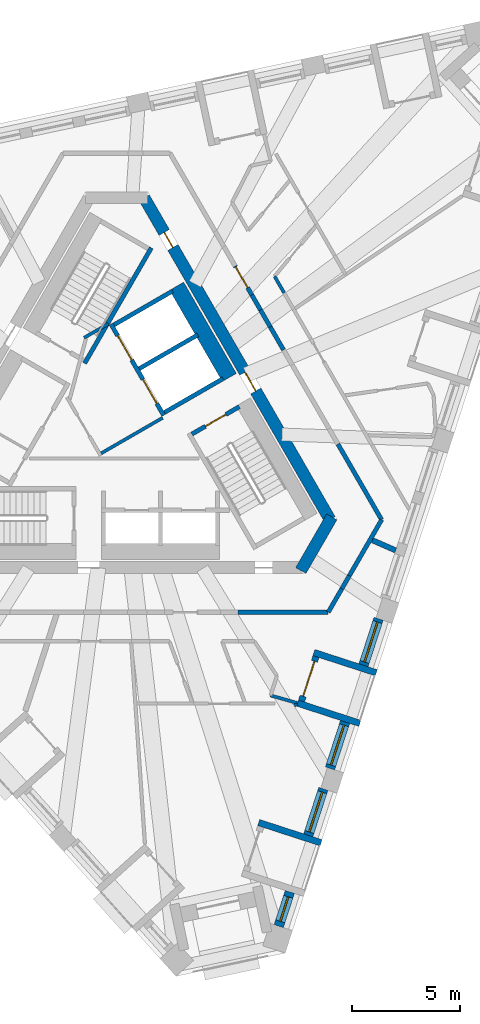
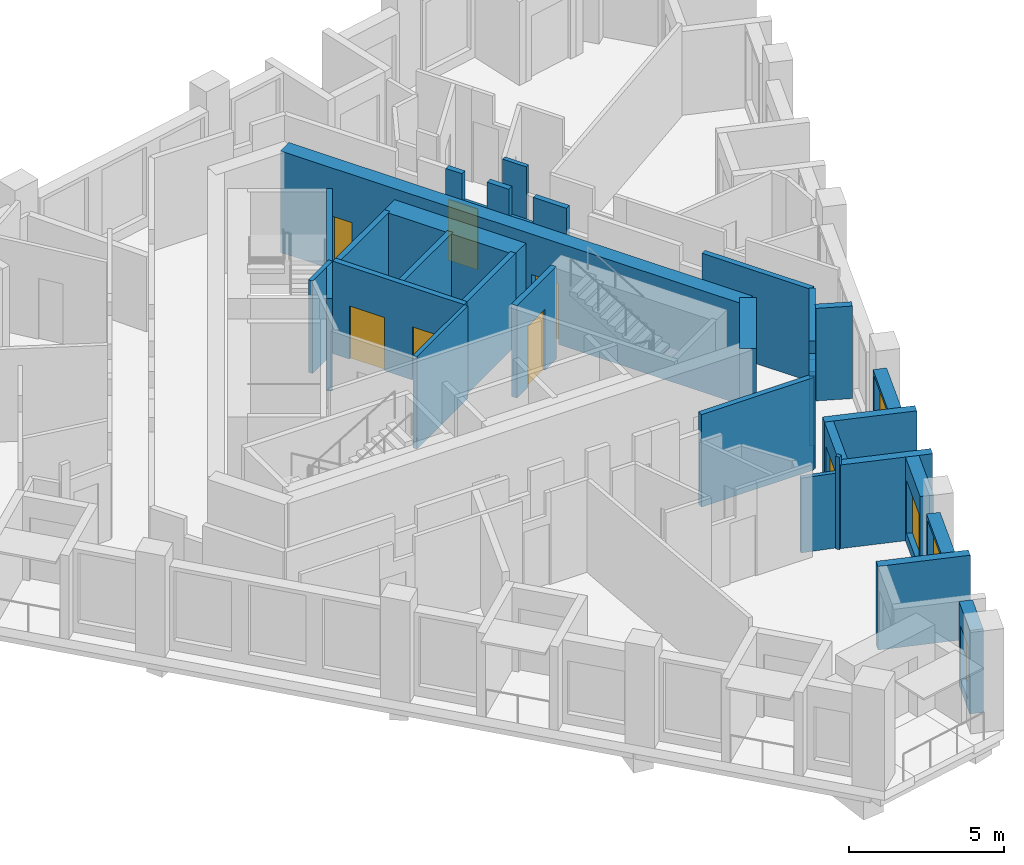
# One storey, part 5 of 12: 32 walls, 7 doors, 4 windows, 11 openings.
"""IFC4 building model written with IfcOpenShell, lengths in metres."""

from ifc_helpers import new_model, si_unit, direction, frame, frame_2d, origin, place, context, subcontext, project, spatial, polyline, rectangle, outline, extrude, material, layer, layer_set, type_object, element, fill, save


model = new_model("IFC4")

# Units and contexts
model_context = context("Model", 3, precision=1e-05, world=origin(), true_north=direction((0.0, 1.0)))
body_context = subcontext(model_context, "Body", "Model", "MODEL_VIEW")
ifc_project = project(units=[si_unit("LENGTHUNIT", "METRE"), si_unit("AREAUNIT", "SQUARE_METRE"), si_unit("VOLUMEUNIT", "CUBIC_METRE"), si_unit("PLANEANGLEUNIT", "RADIAN"), si_unit("MASSUNIT", "GRAM", prefix="KILO")], contexts=[model_context])

# Site, building, storey
site_placement = place(None, origin())
site = spatial("IfcSite", under=ifc_project, at=site_placement, CompositionType="ELEMENT")
building_placement = place(site_placement, origin())
building = spatial("IfcBuilding", under=site, at=building_placement, Name="Tramontana Tower", CompositionType="ELEMENT")
storey_placement = place(building_placement, frame((0.0, 0.0, 340.39990234375)))
storey = spatial("IfcBuildingStorey", under=building, at=storey_placement, Name="L78", CompositionType="ELEMENT", Elevation=340.39990234375)

# Wall
ifc_material_1 = material(Name="Concrete 70 MPa", Category="concrete")
ifc_layer_1 = layer(ifc_material_1, 0.550048828125)
ifc_layer_set_1 = layer_set([ifc_layer_1], Name="Core wall 550 70 MPa")
wall_type_1 = type_object("IfcWallType", Name="Core wall 550 70 MPa", PredefinedType="SHEAR", material=ifc_layer_set_1)
wall_1_placement = place(storey_placement, frame((8.56640625, -6.612548828125, 0.0), z_axis=(0.0, 0.0, 1.0), x_axis=(0.499995765644, 0.866027848477, 0.0)))
element("IfcWall", 1, at=wall_1_placement, inside=storey, type_object=wall_type_1, Name="Core wall C4 L78", PredefinedType="SHEAR", context=body_context, shape_type="SweptSolid", body=[
    extrude(rectangle(XDim=2.88671875, YDim=0.550048828125, at=frame_2d((1.443359375, 0.0))), origin(), (0.0, 0.0, 1.0), 4.0),
])

# Wall, openings, doors
wall_2_placement = place(storey_placement, frame((9.930419921875, -4.25, 0.0), z_axis=(0.0, 0.0, 1.0), x_axis=(-0.499994590896, 0.86602852671, 0.0)))
wall_2 = element("IfcWall", 2, at=wall_2_placement, inside=storey, type_object=wall_type_1, Name="Core wall C5 L78", PredefinedType="SHEAR", context=body_context, shape_type="SweptSolid", body=[
    extrude(rectangle(XDim=17.291748046875, YDim=0.550048828125, at=frame_2d((8.64599609375, 0.0))), origin(), (0.0, 0.0, 1.0), 4.0),
])
opening_1_placement = place(wall_2_placement, frame((6.9208984375, 0.0, 0.0)))
opening_1 = element("IfcOpeningElement", 3, at=opening_1_placement, cuts=wall_2, Name="Opening RG3", PredefinedType="OPENING", context=body_context, shape_type="SweptSolid", body=[
    extrude(rectangle(XDim=1.0, YDim=2.39990234375, at=frame_2d((0.5, 1.199951171875))), frame((0.0, 0.284912109375, 0.0), z_axis=(0.0, -1.0, 0.0), x_axis=(1.0, 0.0, 0.0)), (0.0, 0.0, 1.0), 0.570068359375),
])
opening_2_placement = place(wall_2_placement, frame((14.625732421875, 0.0, 0.0)))
opening_2 = element("IfcOpeningElement", 4, at=opening_2_placement, cuts=wall_2, Name="Opening PD3", PredefinedType="OPENING", context=body_context, shape_type="SweptSolid", body=[
    extrude(rectangle(XDim=0.800048828125, YDim=2.10009765625, at=frame_2d((0.39990234375, 1.050048828125))), frame((0.0, 0.284912109375, 0.0), z_axis=(0.0, -1.0, 0.0), x_axis=(1.0, 0.0, 0.0)), (0.0, 0.0, 1.0), 0.570068359375),
])
ifc_material_2 = material(Name="Painted steel", Category="steel")
door_type_1 = type_object("IfcDoorType", Name="CUPBOARD DOOR 800", OperationType="SINGLE_SWING_LEFT", PredefinedType="DOOR", material=ifc_material_2)
door_1_placement = place(opening_2_placement, origin())
door_1 = element("IfcDoor", 5, at=door_1_placement, inside=storey, type_object=door_type_1, Name="Door PD3", OperationType="SINGLE_SWING_RIGHT", OverallHeight=2.10009765625, OverallWidth=0.800048828125, PredefinedType="DOOR", context=body_context, shape_type="SweptSolid", body=[
    extrude(rectangle(XDim=0.800048828125, YDim=2.10009765625, at=frame_2d((0.39990234375, 1.050048828125))), frame((0.0, 0.02490234375, 0.0), z_axis=(0.0, -1.0, 0.0), x_axis=(1.0, 0.0, 0.0)), (0.0, 0.0, 1.0), 0.050048828125),
])
fill(opening_2, door_1)
ifc_material_3 = material(Name="Painted steel", Category="steel")
door_type_2 = type_object("IfcDoorType", Name="RING DOOR 1000", OperationType="SINGLE_SWING_LEFT", PredefinedType="DOOR", material=ifc_material_3)
door_2_placement = place(opening_1_placement, origin())
door_2 = element("IfcDoor", 6, at=door_2_placement, inside=storey, type_object=door_type_2, Name="Door RG3", OperationType="SINGLE_SWING_RIGHT", OverallHeight=2.39990234375, OverallWidth=1.0, PredefinedType="DOOR", context=body_context, shape_type="SweptSolid", body=[
    extrude(rectangle(XDim=1.0, YDim=2.39990234375, at=frame_2d((0.5, 1.199951171875))), frame((0.0, 0.02490234375, 0.0), z_axis=(0.0, -1.0, 0.0), x_axis=(1.0, 0.0, 0.0)), (0.0, 0.0, 1.0), 0.050048828125),
])
fill(opening_1, door_2)

# Walls
ifc_material_4 = material(Name="Blockwork", Category="masonry")
ifc_layer_2 = layer(ifc_material_4, 0.199951171875)
ifc_layer_set_2 = layer_set([ifc_layer_2], Name="ENTRY WALL 200")
wall_type_2 = type_object("IfcWallType", Name="ENTRY WALL 200", PredefinedType="SOLIDWALL", material=ifc_layer_set_2)
wall_3_placement = place(storey_placement, frame((12.326416015625, -4.25, 0.0), z_axis=(0.0, 0.0, 1.0), x_axis=(-0.500003959331, -0.866023117852, 0.0)))
element("IfcWall", 7, at=wall_3_placement, inside=storey, type_object=wall_type_2, Name="Wall v81-ew0-0", PredefinedType="SOLIDWALL", context=body_context, shape_type="SweptSolid", body=[
    extrude(rectangle(XDim=3.0029296875, YDim=0.199951171875, at=frame_2d((1.50146484375, 0.0))), origin(), (0.0, 0.0, 1.0), 3.650146484375),
])
wall_4_placement = place(storey_placement, frame((10.824951171875, -6.8505859375, 0.0), z_axis=(0.0, 0.0, 1.0), x_axis=(-0.500144223137, -0.865942120504, 0.0)))
element("IfcWall", 8, at=wall_4_placement, inside=storey, type_object=wall_type_2, Name="Wall v81-ew0-1", PredefinedType="SOLIDWALL", context=body_context, shape_type="SweptSolid", body=[
    extrude(rectangle(XDim=0.701416015625, YDim=0.199951171875, at=frame_2d((0.3505859375, 0.0))), origin(), (0.0, 0.0, 1.0), 2.9501953125),
])
wall_5_placement = place(storey_placement, frame((10.47412109375, -7.4580078125, 0.0), z_axis=(0.0, 0.0, 1.0), x_axis=(-0.499929168788, -0.866066294342, 0.0)))
element("IfcWall", 9, at=wall_5_placement, inside=storey, type_object=wall_type_2, Name="Wall v81-ew0-2", PredefinedType="SOLIDWALL", context=body_context, shape_type="SweptSolid", body=[
    extrude(rectangle(XDim=1.260986328125, YDim=0.199951171875, at=frame_2d((0.63037109375, 0.0))), origin(), (0.0, 0.0, 1.0), 3.650146484375),
])
wall_6_placement = place(storey_placement, frame((9.84375, -8.550048828125, 0.0), z_axis=(0.0, 0.0, 1.0), x_axis=(-1.0, 0.0, 0.0)))
element("IfcWall", 10, at=wall_6_placement, inside=storey, type_object=wall_type_2, Name="Wall v81-ew1-0", PredefinedType="SOLIDWALL", context=body_context, shape_type="SweptSolid", body=[
    extrude(rectangle(XDim=4.1943359375, YDim=0.199951171875, at=frame_2d((2.09716796875, 0.0))), origin(), (0.0, 0.0, 1.0), 3.650146484375),
])

# Wall, opening, door
wall_7_placement = place(storey_placement, frame((5.515380859375, 7.547119140625, 0.0), z_axis=(0.0, 0.0, 1.0), x_axis=(0.499986163319, -0.866033392248, 0.0)))
wall_7 = element("IfcWall", 11, at=wall_7_placement, inside=storey, type_object=wall_type_2, Name="Wall v81-ew5-3", PredefinedType="SOLIDWALL", context=body_context, shape_type="SweptSolid", body=[
    extrude(outline(polyline([(0.0, 0.0), (1.54931640625, 0.0), (1.549072265625, 2.550048828125), (0.605224609375, 2.550048828125), (0.605224609375, 3.650146484375), (0.0, 3.650146484375), (0.0, 0.0)])), frame((0.0, 0.10009765625, 0.0), z_axis=(0.0, -1.0, 0.0), x_axis=(1.0, 0.0, 0.0)), (0.0, 0.0, 1.0), 0.199951171875),
])
opening_3_placement = place(wall_7_placement, frame((0.050048828125, 0.0, 0.0)))
opening_3 = element("IfcOpeningElement", 12, at=opening_3_placement, cuts=wall_7, Name="Opening B8B-18", PredefinedType="OPENING", context=body_context, shape_type="SweptSolid", body=[
    extrude(rectangle(XDim=1.10009765625, YDim=2.39990234375, at=frame_2d((0.550048828125, 1.199951171875))), frame((0.0, 0.10986328125, 0.0), z_axis=(0.0, -1.0, 0.0), x_axis=(1.0, 0.0, 0.0)), (0.0, 0.0, 1.0), 0.219970703125),
])
ifc_material_5 = material(Name="Painted timber", Category="wood")
door_type_3 = type_object("IfcDoorType", Name="DOOR ENTRY 1100", OperationType="SINGLE_SWING_LEFT", PredefinedType="DOOR", material=ifc_material_5)
door_3_placement = place(opening_3_placement, origin())
door_3 = element("IfcDoor", 13, at=door_3_placement, inside=storey, type_object=door_type_3, Name="Door B8B-18", OperationType="SINGLE_SWING_RIGHT", OverallHeight=2.39990234375, OverallWidth=1.10009765625, PredefinedType="DOOR", context=body_context, shape_type="SweptSolid", body=[
    extrude(rectangle(XDim=1.10009765625, YDim=2.39990234375, at=frame_2d((0.550048828125, 1.199951171875))), frame((0.0, 0.02490234375, 0.0), z_axis=(0.0, -1.0, 0.0), x_axis=(1.0, 0.0, 0.0)), (0.0, 0.0, 1.0), 0.050048828125),
])
fill(opening_3, door_3)

# Walls
wall_8_placement = place(storey_placement, frame((6.2900390625, 6.205322265625, 0.0), z_axis=(0.0, 0.0, 1.0), x_axis=(0.500045602705, -0.86599907345, 0.0)))
element("IfcWall", 14, at=wall_8_placement, inside=storey, type_object=wall_type_2, Name="Wall v81-ew5-4", PredefinedType="SOLIDWALL", context=body_context, shape_type="SweptSolid", body=[
    extrude(rectangle(XDim=0.806640625, YDim=0.199951171875, at=frame_2d((0.4033203125, 0.0))), origin(), (0.0, 0.0, 1.0), 3.650146484375),
])
wall_9_placement = place(storey_placement, frame((6.693359375, 5.5068359375, 0.0), z_axis=(0.0, 0.0, 1.0), x_axis=(0.499994660107, -0.866028486751, 0.0)))
element("IfcWall", 15, at=wall_9_placement, inside=storey, type_object=wall_type_2, Name="Wall v81-ew5-5", PredefinedType="SOLIDWALL", context=body_context, shape_type="SweptSolid", body=[
    extrude(rectangle(XDim=0.90576171875, YDim=0.199951171875, at=frame_2d((0.452880859375, 0.0))), origin(), (0.0, 0.0, 1.0), 2.550048828125),
])
wall_10_placement = place(storey_placement, frame((7.146240234375, 4.722412109375, 0.0), z_axis=(0.0, 0.0, 1.0), x_axis=(0.499955681623, -0.866050989499, 0.0)))
element("IfcWall", 16, at=wall_10_placement, inside=storey, type_object=wall_type_2, Name="Wall v81-ew5-6", PredefinedType="SOLIDWALL", context=body_context, shape_type="SweptSolid", body=[
    extrude(rectangle(XDim=1.23828125, YDim=0.199951171875, at=frame_2d((0.619140625, 0.0))), origin(), (0.0, 0.0, 1.0), 3.650146484375),
])
wall_11_placement = place(storey_placement, frame((10.29345703125, -0.72900390625, 0.0), z_axis=(0.0, 0.0, 1.0), x_axis=(0.50002046505, -0.86601358796, 0.0)))
element("IfcWall", 17, at=wall_11_placement, inside=storey, type_object=wall_type_2, Name="Wall v81-ew5-10", PredefinedType="SOLIDWALL", context=body_context, shape_type="SweptSolid", body=[
    extrude(rectangle(XDim=4.065673828125, YDim=0.199951171875, at=frame_2d((2.03271484375, 0.0))), origin(), (0.0, 0.0, 1.0), 3.650146484375),
])

# Wall, opening, window
ifc_material_6 = material(Name="Precast concrete 60 MPa", Category="concrete")
ifc_layer_3 = layer(ifc_material_6, 0.449951171875)
ifc_layer_set_3 = layer_set([ifc_layer_3], Name="Precast concrete 60 MPa, 450 mm")
wall_type_3 = type_object("IfcWallType", Name="EW1 Stone-faced precast wall 450", PredefinedType="SOLIDWALL", material=ifc_layer_set_3)
wall_12_placement = place(storey_placement, frame((7.541015625, -23.14794921875, 0.0), z_axis=(0.0, 0.0, 1.0), x_axis=(0.308944042168, 0.951080216811, 0.0)))
wall_12 = element("IfcWall", 18, at=wall_12_placement, inside=storey, type_object=wall_type_3, Name="External wall L78 face 1 bay 1", PredefinedType="SOLIDWALL", context=body_context, shape_type="SweptSolid", body=[
    extrude(rectangle(XDim=1.67138671875, YDim=0.449951171875, at=frame_2d((0.835693359375, 0.0))), origin(), (0.0, 0.0, 1.0), 3.300048828125),
])
opening_4_placement = place(wall_12_placement, frame((0.235595703125, 0.0, 0.39990234375)))
opening_4 = element("IfcOpeningElement", 19, at=opening_4_placement, cuts=wall_12, Name="Opening N3L", PredefinedType="OPENING", context=body_context, shape_type="SweptSolid", body=[
    extrude(rectangle(XDim=1.199951171875, YDim=2.10009765625, at=frame_2d((0.60009765625, 1.050048828125))), frame((0.0, 0.23486328125, 0.0), z_axis=(0.0, -1.0, 0.0), x_axis=(1.0, 0.0, 0.0)), (0.0, 0.0, 1.0), 0.469970703125),
])
ifc_material_7 = material(Name="Aluminum frame, double glazing unit", Category="aluminium")
window_type_1 = type_object("IfcWindowType", Name="N3L Window 1.2 x 2.1", PartitioningType="SINGLE_PANEL", PredefinedType="WINDOW", material=ifc_material_7)
window_1_placement = place(opening_4_placement, origin())
window_1 = element("IfcWindow", 20, at=window_1_placement, inside=storey, type_object=window_type_1, Name="Window N3L L78 face 1 module 1", OverallHeight=2.10009765625, OverallWidth=1.199951171875, PartitioningType="SINGLE_PANEL", PredefinedType="WINDOW", context=body_context, shape_type="SweptSolid", body=[
    extrude(rectangle(XDim=1.199951171875, YDim=2.10009765625, at=frame_2d((0.60009765625, 1.050048828125))), frame((0.0, 0.030029296875, 0.0), z_axis=(0.0, -1.0, 0.0), x_axis=(1.0, 0.0, 0.0)), (0.0, 0.0, 1.0), 0.06005859375),
])
fill(opening_4, window_1)

wall_13_placement = place(storey_placement, frame((8.913818359375, -18.922607421875, 0.0), z_axis=(0.0, 0.0, 1.0), x_axis=(0.309059334219, 0.951042758204, 0.0)))
wall_13 = element("IfcWall", 21, at=wall_13_placement, inside=storey, type_object=wall_type_3, Name="External wall L78 face 1 bay 1", PredefinedType="SOLIDWALL", context=body_context, shape_type="SweptSolid", body=[
    extrude(rectangle(XDim=2.27099609375, YDim=0.449951171875, at=frame_2d((1.135498046875, 0.0))), origin(), (0.0, 0.0, 1.0), 3.300048828125),
])
opening_5_placement = place(wall_13_placement, frame((0.16064453125, 0.0, 0.39990234375)))
opening_5 = element("IfcOpeningElement", 22, at=opening_5_placement, cuts=wall_13, Name="Opening M3", PredefinedType="OPENING", context=body_context, shape_type="SweptSolid", body=[
    extrude(rectangle(XDim=1.949951171875, YDim=2.75, at=frame_2d((0.97509765625, 1.375))), frame((0.0, 0.23486328125, 0.0), z_axis=(0.0, -1.0, 0.0), x_axis=(1.0, 0.0, 0.0)), (0.0, 0.0, 1.0), 0.469970703125),
])
ifc_material_8 = material(Name="Aluminum frame, double glazing unit", Category="aluminium")
window_type_2 = type_object("IfcWindowType", Name="M3 Window 1.95 x 2.75", PartitioningType="SINGLE_PANEL", PredefinedType="WINDOW", material=ifc_material_8)
window_2_placement = place(opening_5_placement, origin())
window_2 = element("IfcWindow", 23, at=window_2_placement, inside=storey, type_object=window_type_2, Name="Window M3 L78 face 1 module 3", OverallHeight=2.75, OverallWidth=1.949951171875, PartitioningType="SINGLE_PANEL", PredefinedType="WINDOW", context=body_context, shape_type="SweptSolid", body=[
    extrude(rectangle(XDim=1.949951171875, YDim=2.75, at=frame_2d((0.97509765625, 1.375))), frame((0.0, 0.030029296875, 0.0), z_axis=(0.0, -1.0, 0.0), x_axis=(1.0, 0.0, 0.0)), (0.0, 0.0, 1.0), 0.06005859375),
])
fill(opening_5, window_2)

wall_14_placement = place(storey_placement, frame((9.9248046875, -15.8115234375, 0.0), z_axis=(0.0, 0.0, 1.0), x_axis=(0.308930512416, 0.95108461164, 0.0)))
wall_14 = element("IfcWall", 24, at=wall_14_placement, inside=storey, type_object=wall_type_3, Name="External wall L78 face 1 bay 2", PredefinedType="SOLIDWALL", context=body_context, shape_type="SweptSolid", body=[
    extrude(rectangle(XDim=2.271240234375, YDim=0.449951171875, at=frame_2d((1.1357421875, 0.0))), origin(), (0.0, 0.0, 1.0), 3.300048828125),
])
opening_6_placement = place(wall_14_placement, frame((0.16064453125, 0.0, 0.39990234375)))
opening_6 = element("IfcOpeningElement", 25, at=opening_6_placement, cuts=wall_14, Name="Opening M3L", PredefinedType="OPENING", context=body_context, shape_type="SweptSolid", body=[
    extrude(rectangle(XDim=1.949951171875, YDim=2.10009765625, at=frame_2d((0.97509765625, 1.050048828125))), frame((0.0, 0.23486328125, 0.0), z_axis=(0.0, -1.0, 0.0), x_axis=(1.0, 0.0, 0.0)), (0.0, 0.0, 1.0), 0.469970703125),
])
ifc_material_9 = material(Name="Aluminum frame, double glazing unit", Category="aluminium")
window_type_3 = type_object("IfcWindowType", Name="M3L Window 1.95 x 2.1", PartitioningType="SINGLE_PANEL", PredefinedType="WINDOW", material=ifc_material_9)
window_3_placement = place(opening_6_placement, origin())
window_3 = element("IfcWindow", 26, at=window_3_placement, inside=storey, type_object=window_type_3, Name="Window M3L L78 face 1 module 4", OverallHeight=2.10009765625, OverallWidth=1.949951171875, PartitioningType="SINGLE_PANEL", PredefinedType="WINDOW", context=body_context, shape_type="SweptSolid", body=[
    extrude(rectangle(XDim=1.949951171875, YDim=2.10009765625, at=frame_2d((0.97509765625, 1.050048828125))), frame((0.0, 0.030029296875, 0.0), z_axis=(0.0, -1.0, 0.0), x_axis=(1.0, 0.0, 0.0)), (0.0, 0.0, 1.0), 0.06005859375),
])
fill(opening_6, window_3)

wall_15_placement = place(storey_placement, frame((11.48291015625, -11.015869140625, 0.0), z_axis=(0.0, 0.0, 1.0), x_axis=(0.309027740273, 0.951053024674, 0.0)))
wall_15 = element("IfcWall", 27, at=wall_15_placement, inside=storey, type_object=wall_type_3, Name="External wall L78 face 1 bay 2", PredefinedType="SOLIDWALL", context=body_context, shape_type="SweptSolid", body=[
    extrude(rectangle(XDim=2.271240234375, YDim=0.449951171875, at=frame_2d((1.1357421875, 0.0))), origin(), (0.0, 0.0, 1.0), 3.300048828125),
])
opening_7_placement = place(wall_15_placement, frame((0.16064453125, 0.0, 0.39990234375)))
opening_7 = element("IfcOpeningElement", 28, at=opening_7_placement, cuts=wall_15, Name="Opening M3", PredefinedType="OPENING", context=body_context, shape_type="SweptSolid", body=[
    extrude(rectangle(XDim=1.949951171875, YDim=2.75, at=frame_2d((0.97509765625, 1.375))), frame((0.0, 0.23486328125, 0.0), z_axis=(0.0, -1.0, 0.0), x_axis=(1.0, 0.0, 0.0)), (0.0, 0.0, 1.0), 0.469970703125),
])
window_4_placement = place(opening_7_placement, origin())
window_4 = element("IfcWindow", 29, at=window_4_placement, inside=storey, type_object=window_type_2, Name="Window M3 L78 face 1 module 6", OverallHeight=2.75, OverallWidth=1.949951171875, PartitioningType="SINGLE_PANEL", PredefinedType="WINDOW", context=body_context, shape_type="SweptSolid", body=[
    extrude(rectangle(XDim=1.949951171875, YDim=2.75, at=frame_2d((0.97509765625, 1.375))), frame((0.0, 0.030029296875, 0.0), z_axis=(0.0, -1.0, 0.0), x_axis=(1.0, 0.0, 0.0)), (0.0, 0.0, 1.0), 0.06005859375),
])
fill(opening_7, window_4)

# Wall
ifc_material_10 = material(Name="Precast concrete 60 MPa", Category="concrete")
ifc_layer_4 = layer(ifc_material_10, 0.300048828125)
ifc_layer_set_4 = layer_set([ifc_layer_4], Name="LW1 Stone-faced loggia wall 300")
wall_type_4 = type_object("IfcWallType", Name="LW1 Stone-faced loggia wall 300", PredefinedType="SOLIDWALL", material=ifc_layer_set_4)
wall_16_placement = place(storey_placement, frame((9.509521484375, -19.27392578125, 0.0), z_axis=(0.0, 0.0, 1.0), x_axis=(-0.951072883748, 0.308966615996, 0.0)))
element("IfcWall", 30, at=wall_16_placement, inside=storey, type_object=wall_type_4, Name="Loggia return L78 G8S1.1b", PredefinedType="SOLIDWALL", context=body_context, shape_type="SweptSolid", body=[
    extrude(rectangle(XDim=3.050048828125, YDim=0.300048828125, at=frame_2d((1.52490234375, 0.0))), origin(), (0.0, 0.0, 1.0), 3.300048828125),
])

# Wall, opening, door
wall_17_placement = place(storey_placement, frame((8.603271484375, -12.678466796875, 0.0), z_axis=(0.0, 0.0, 1.0), x_axis=(0.308999623589, 0.95106216023, 0.0)))
wall_17 = element("IfcWall", 31, at=wall_17_placement, inside=storey, type_object=wall_type_4, Name="Loggia wall L78 G8S1.4", PredefinedType="SOLIDWALL", context=body_context, shape_type="SweptSolid", body=[
    extrude(rectangle(XDim=2.171142578125, YDim=0.300048828125, at=frame_2d((1.08544921875, 0.0))), origin(), (0.0, 0.0, 1.0), 3.300048828125),
])
opening_8_placement = place(wall_17_placement, frame((0.235595703125, 0.0, 0.0)))
opening_8 = element("IfcOpeningElement", 32, at=opening_8_placement, cuts=wall_17, Name="Opening BD-8S1-04", PredefinedType="OPENING", context=body_context, shape_type="SweptSolid", body=[
    extrude(rectangle(XDim=1.699951171875, YDim=2.5, at=frame_2d((0.85009765625, 1.25))), frame((0.0, 0.159912109375, 0.0), z_axis=(0.0, -1.0, 0.0), x_axis=(1.0, 0.0, 0.0)), (0.0, 0.0, 1.0), 0.320068359375),
])
ifc_material_11 = material(Name="Aluminum frame, double glazing unit", Category="aluminium")
door_type_4 = type_object("IfcDoorType", Name="BD3 Sliding door 1.7 x 2.5", OperationType="SLIDING_TO_LEFT", PredefinedType="DOOR", material=ifc_material_11)
door_4_placement = place(opening_8_placement, origin())
door_4 = element("IfcDoor", 33, at=door_4_placement, inside=storey, type_object=door_type_4, Name="Loggia door L78 G8S1.4", OperationType="SLIDING_TO_LEFT", OverallHeight=2.5, OverallWidth=1.699951171875, PredefinedType="DOOR", context=body_context, shape_type="SweptSolid", body=[
    extrude(rectangle(XDim=1.699951171875, YDim=2.5, at=frame_2d((0.85009765625, 1.25))), frame((0.0, 0.02490234375, 0.0), z_axis=(0.0, -1.0, 0.0), x_axis=(1.0, 0.0, 0.0)), (0.0, 0.0, 1.0), 0.050048828125),
])
fill(opening_8, door_4)

# Walls
for number, where, z_axis, x_axis, name in (
    (34, (11.31494140625, -13.71728515625, 0.0), (0.0, 0.0, 1.0), (-0.951072883748, 0.308966615996, 0.0), "Loggia return L78 G8S1.4a"),
    (35, (12.07861328125, -11.366943359375, 0.0), (0.0, 0.0, 1.0), (-0.951072883748, 0.308966615996, 0.0), "Loggia return L78 G8S1.4b"),
):
    element("IfcWall", number, at=place(storey_placement, frame(where, z_axis=z_axis, x_axis=x_axis)), inside=storey, type_object=wall_type_4, Name=name, PredefinedType="SOLIDWALL", context=body_context, shape_type="SweptSolid", body=[
        extrude(rectangle(XDim=3.050048828125, YDim=0.300048828125, at=frame_2d((1.52490234375, 0.0))), origin(), (0.0, 0.0, 1.0), 3.300048828125),
    ])
ifc_material_12 = material(Name="Gypsum board partition")
ifc_layer_5 = layer(ifc_material_12, 0.14990234375)
ifc_layer_set_5 = layer_set([ifc_layer_5], Name="PARTITION 150")
wall_type_5 = type_object("IfcWallType", Name="PARTITION 150", PredefinedType="PARTITIONING", material=ifc_layer_set_5)
wall_18_placement = place(storey_placement, frame((-0.716796875, -1.15869140625, 0.0), z_axis=(0.0, 0.0, 1.0), x_axis=(0.866008176907, 0.50002983664, 0.0)))
element("IfcWall", 36, at=wall_18_placement, inside=storey, type_object=wall_type_5, Name="Wall ff-end0", PredefinedType="PARTITIONING", context=body_context, shape_type="SweptSolid", body=[
    extrude(rectangle(XDim=3.300048828125, YDim=0.14990234375, at=frame_2d((1.64990234375, 0.0))), origin(), (0.0, 0.0, 1.0), 3.650146484375),
])
wall_19_placement = place(storey_placement, frame((-1.509765625, 4.21484375, 0.0), z_axis=(0.0, 0.0, 1.0), x_axis=(0.866085525409, 0.49989585183, 0.0)))
element("IfcWall", 37, at=wall_19_placement, inside=storey, type_object=wall_type_5, Name="Wall ff-end1", PredefinedType="PARTITIONING", context=body_context, shape_type="SweptSolid", body=[
    extrude(rectangle(XDim=1.300048828125, YDim=0.14990234375, at=frame_2d((0.64990234375, 0.0))), origin(), (0.0, 0.0, 1.0), 3.650146484375),
])
wall_20_placement = place(storey_placement, frame((7.34814453125, 7.07275390625, 0.0), z_axis=(0.0, 0.0, 1.0), x_axis=(0.499952443665, -0.866052858707, 0.0)))
element("IfcWall", 38, at=wall_20_placement, inside=storey, type_object=wall_type_5, Name="Wall v81-pw24-0", PredefinedType="PARTITIONING", context=body_context, shape_type="SweptSolid", body=[
    extrude(rectangle(XDim=0.88818359375, YDim=0.14990234375, at=frame_2d((0.444091796875, 0.0))), origin(), (0.0, 0.0, 1.0), 3.650146484375),
])
wall_21_placement = place(storey_placement, frame((8.36767578125, -12.91748046875, 0.0), z_axis=(0.0, 0.0, 1.0), x_axis=(-0.542961688991, 0.839757467539, 0.0)))
element("IfcWall", 39, at=wall_21_placement, inside=storey, type_object=wall_type_5, Name="Wall v81-pw28", PredefinedType="PARTITIONING", context=body_context, shape_type="SweptSolid", body=[
    extrude(rectangle(XDim=0.139892578125, YDim=0.14990234375, at=frame_2d((0.06982421875, 0.0))), origin(), (0.0, 0.0, 1.0), 3.650146484375),
])
wall_22_placement = place(storey_placement, frame((8.4140625, -12.77490234375, 0.0), z_axis=(0.0, 0.0, 1.0), x_axis=(-0.962207901517, 0.272315908933, 0.0)))
element("IfcWall", 40, at=wall_22_placement, inside=storey, type_object=wall_type_5, Name="Wall v81-pw29-0", PredefinedType="PARTITIONING", context=body_context, shape_type="SweptSolid", body=[
    extrude(rectangle(XDim=1.30078125, YDim=0.14990234375, at=frame_2d((0.650390625, 0.0))), origin(), (0.0, 0.0, 1.0), 2.9501953125),
])
ifc_material_13 = material(Name="Blockwork", Category="masonry")
ifc_layer_6 = layer(ifc_material_13, 0.25)
ifc_layer_set_6 = layer_set([ifc_layer_6], Name="PARTY WALL 250")
wall_type_6 = type_object("IfcWallType", Name="PARTY WALL 250", PredefinedType="SOLIDWALL", material=ifc_layer_set_6)
wall_23_placement = place(storey_placement, frame((11.893798828125, -5.199462890625, 0.0), z_axis=(0.0, 0.0, 1.0), x_axis=(0.916270561307, -0.4005599312, 0.0)))
element("IfcWall", 41, at=wall_23_placement, inside=storey, type_object=wall_type_6, Name="Wall v81-pw32", PredefinedType="SOLIDWALL", context=body_context, shape_type="SweptSolid", body=[
    extrude(rectangle(XDim=1.187255859375, YDim=0.25, at=frame_2d((0.59375, 0.0))), origin(), (0.0, 0.0, 1.0), 3.650146484375),
])
ifc_material_14 = material(Name="Concrete 70 MPa", Category="concrete")
ifc_layer_7 = layer(ifc_material_14, 0.75)
ifc_layer_set_7 = layer_set([ifc_layer_7], Name="Concrete 70 MPa, 750 mm")
wall_type_7 = type_object("IfcWallType", Name="RC SHAFT BACK WALL 750", PredefinedType="SOLIDWALL", material=ifc_layer_set_7)
wall_24_placement = place(storey_placement, frame((5.242919921875, 2.368896484375, 0.0), z_axis=(0.0, 0.0, 1.0), x_axis=(-0.500002801628, 0.866023786258, 0.0)))
element("IfcWall", 42, at=wall_24_placement, inside=storey, type_object=wall_type_7, Name="Wall row2-back", PredefinedType="SOLIDWALL", context=body_context, shape_type="SweptSolid", body=[
    extrude(rectangle(XDim=4.89990234375, YDim=0.75, at=frame_2d((2.449951171875, 0.0))), origin(), (0.0, 0.0, 1.0), 3.650146484375),
])
ifc_material_15 = material(Name="Concrete 70 MPa", Category="concrete")
ifc_layer_8 = layer(ifc_material_15, 0.199951171875)
ifc_layer_set_8 = layer_set([ifc_layer_8], Name="Concrete 70 MPa, 200 mm")
wall_type_8 = type_object("IfcWallType", Name="RC STAIR AND SHAFT WALL 200", PredefinedType="SOLIDWALL", material=ifc_layer_set_8)
wall_25_placement = place(storey_placement, frame((1.615234375, 8.3974609375, 0.0), z_axis=(0.0, 0.0, 1.0), x_axis=(-0.500009909098, -0.866019682689, 0.0)))
element("IfcWall", 43, at=wall_25_placement, inside=storey, type_object=wall_type_8, Name="Wall st1-front", PredefinedType="SOLIDWALL", context=body_context, shape_type="SweptSolid", body=[
    extrude(rectangle(XDim=6.199951171875, YDim=0.199951171875, at=frame_2d((3.10009765625, 0.0))), origin(), (0.0, 0.0, 1.0), 3.650146484375),
])

# Wall, opening, door
wall_26_placement = place(storey_placement, frame((3.50146484375, -0.2646484375, 0.0), z_axis=(0.0, 0.0, 1.0), x_axis=(0.866030925526, 0.499990435942, 0.0)))
wall_26 = element("IfcWall", 44, at=wall_26_placement, inside=storey, type_object=wall_type_8, Name="Wall st3-near", PredefinedType="SOLIDWALL", context=body_context, shape_type="SweptSolid", body=[
    extrude(rectangle(XDim=2.5498046875, YDim=0.199951171875, at=frame_2d((1.27490234375, 0.0))), origin(), (0.0, 0.0, 1.0), 3.650146484375),
])
opening_9_placement = place(wall_26_placement, frame((0.72509765625, 0.0, 0.0)))
opening_9 = element("IfcOpeningElement", 45, at=opening_9_placement, cuts=wall_26, Name="Opening SD3", PredefinedType="OPENING", context=body_context, shape_type="SweptSolid", body=[
    extrude(rectangle(XDim=1.10009765625, YDim=2.39990234375, at=frame_2d((0.550048828125, 1.199951171875))), frame((0.0, 0.10986328125, 0.0), z_axis=(0.0, -1.0, 0.0), x_axis=(1.0, 0.0, 0.0)), (0.0, 0.0, 1.0), 0.219970703125),
])
ifc_material_16 = material(Name="Painted steel", Category="steel")
door_type_5 = type_object("IfcDoorType", Name="STAIR DOOR 1100", OperationType="SINGLE_SWING_LEFT", PredefinedType="DOOR", material=ifc_material_16)
door_5_placement = place(opening_9_placement, origin())
door_5 = element("IfcDoor", 46, at=door_5_placement, inside=storey, type_object=door_type_5, Name="Door SD3", OperationType="SINGLE_SWING_RIGHT", OverallHeight=2.39990234375, OverallWidth=1.10009765625, PredefinedType="DOOR", context=body_context, shape_type="SweptSolid", body=[
    extrude(rectangle(XDim=1.10009765625, YDim=2.39990234375, at=frame_2d((0.550048828125, 1.199951171875))), frame((0.0, 0.02490234375, 0.0), z_axis=(0.0, -1.0, 0.0), x_axis=(1.0, 0.0, 0.0)), (0.0, 0.0, 1.0), 0.050048828125),
])
fill(opening_9, door_5)

# Wall, openings, doors
wall_27_placement = place(storey_placement, frame((2.190185546875, 0.6064453125, 0.0), z_axis=(0.0, 0.0, 1.0), x_axis=(-0.500002801628, 0.866023786258, 0.0)))
wall_27 = element("IfcWall", 47, at=wall_27_placement, inside=storey, type_object=wall_type_8, Name="Wall row2-front", PredefinedType="SOLIDWALL", context=body_context, shape_type="SweptSolid", body=[
    extrude(rectangle(XDim=4.89990234375, YDim=0.199951171875, at=frame_2d((2.449951171875, 0.0))), origin(), (0.0, 0.0, 1.0), 3.650146484375),
])
opening_10_placement = place(wall_27_placement, frame((0.625, 0.0, 0.0)))
opening_10 = element("IfcOpeningElement", 48, at=opening_10_placement, cuts=wall_27, Name="Opening LD-F1", PredefinedType="OPENING", context=body_context, shape_type="SweptSolid", body=[
    extrude(rectangle(XDim=1.300048828125, YDim=2.10009765625, at=frame_2d((0.64990234375, 1.050048828125))), frame((0.0, 0.10986328125, 0.0), z_axis=(0.0, -1.0, 0.0), x_axis=(1.0, 0.0, 0.0)), (0.0, 0.0, 1.0), 0.219970703125),
])
opening_11_placement = place(wall_27_placement, frame((2.97509765625, 0.0, 0.0)))
opening_11 = element("IfcOpeningElement", 49, at=opening_11_placement, cuts=wall_27, Name="Opening LD-F2", PredefinedType="OPENING", context=body_context, shape_type="SweptSolid", body=[
    extrude(rectangle(XDim=1.300048828125, YDim=2.10009765625, at=frame_2d((0.64990234375, 1.050048828125))), frame((0.0, 0.10986328125, 0.0), z_axis=(0.0, -1.0, 0.0), x_axis=(1.0, 0.0, 0.0)), (0.0, 0.0, 1.0), 0.219970703125),
])
ifc_material_17 = material(Name="Brushed steel", Category="steel")
door_type_6 = type_object("IfcDoorType", Name="LANDING DOOR 1300", OperationType="SINGLE_SWING_LEFT", PredefinedType="DOOR", material=ifc_material_17)
door_6_placement = place(opening_10_placement, origin())
door_6 = element("IfcDoor", 50, at=door_6_placement, inside=storey, type_object=door_type_6, Name="Door LD-F1", OperationType="SLIDING_TO_LEFT", OverallHeight=2.10009765625, OverallWidth=1.300048828125, PredefinedType="DOOR", context=body_context, shape_type="SweptSolid", body=[
    extrude(rectangle(XDim=1.300048828125, YDim=2.10009765625, at=frame_2d((0.64990234375, 1.050048828125))), frame((0.0, 0.02490234375, 0.0), z_axis=(0.0, -1.0, 0.0), x_axis=(1.0, 0.0, 0.0)), (0.0, 0.0, 1.0), 0.050048828125),
])
fill(opening_10, door_6)
door_7_placement = place(opening_11_placement, origin())
door_7 = element("IfcDoor", 51, at=door_7_placement, inside=storey, type_object=door_type_6, Name="Door LD-F2", OperationType="SLIDING_TO_RIGHT", OverallHeight=2.10009765625, OverallWidth=1.300048828125, PredefinedType="DOOR", context=body_context, shape_type="SweptSolid", body=[
    extrude(rectangle(XDim=1.300048828125, YDim=2.10009765625, at=frame_2d((0.64990234375, 1.050048828125))), frame((0.0, 0.02490234375, 0.0), z_axis=(0.0, -1.0, 0.0), x_axis=(1.0, 0.0, 0.0)), (0.0, 0.0, 1.0), 0.050048828125),
])
fill(opening_11, door_7)

# Walls
for number, where, z_axis, x_axis, name in (
    (52, (2.226806640625, 0.742919921875, 0.0), (0.0, 0.0, 1.0), (0.866035871367, 0.499981869177, 0.0), "Wall row2-side0"),
    (53, (1.0517578125, 2.778076171875, 0.0), (0.0, 0.0, 1.0), (0.866035871367, 0.499981869177, 0.0), "Wall row2-side1"),
    (54, (-0.123046875, 4.813232421875, 0.0), (0.0, 0.0, 1.0), (0.866016494683, 0.500015430699, 0.0), "Wall row2-side2"),
):
    element("IfcWall", number, at=place(storey_placement, frame(where, z_axis=z_axis, x_axis=x_axis)), inside=storey, type_object=wall_type_8, Name=name, PredefinedType="SOLIDWALL", context=body_context, shape_type="SweptSolid", body=[
        extrude(rectangle(XDim=3.14990234375, YDim=0.199951171875, at=frame_2d((1.574951171875, 0.0))), origin(), (0.0, 0.0, 1.0), 3.650146484375),
    ])

save(model, "model.ifc")
